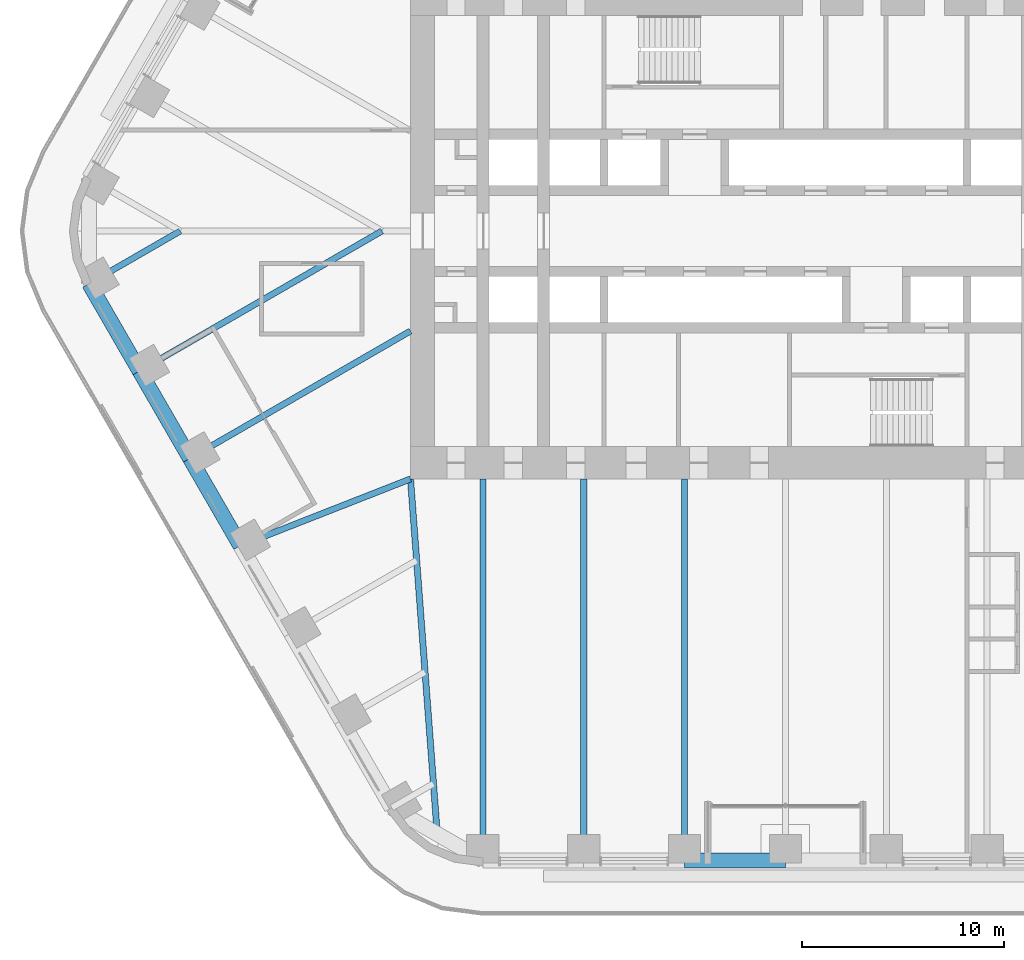
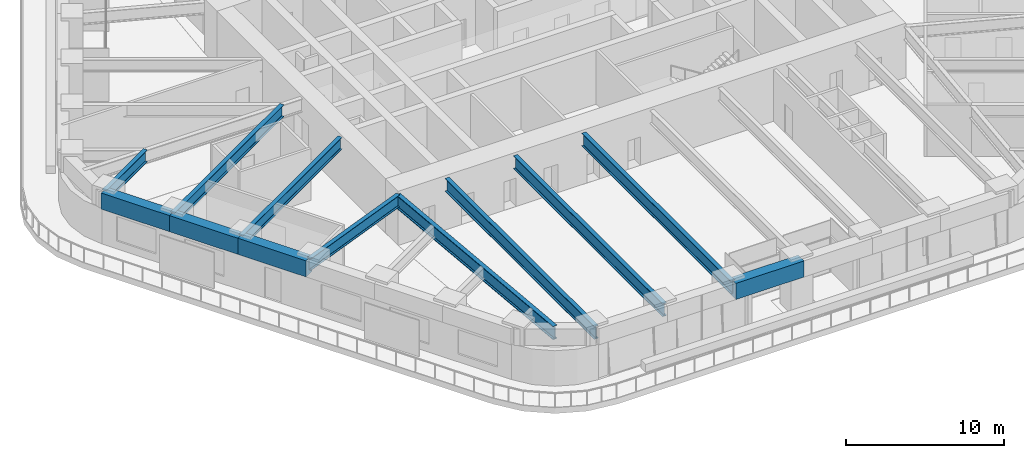
# One storey, part 3 of 24: 12 beams.
"""IFC4 building model written with IfcOpenShell, lengths in metres."""

from ifc_helpers import new_model, si_unit, direction, frame, origin, origin_2d, place, context, subcontext, project, spatial, rectangle, i_section, extrude, material, material_profile, profile_set, type_object, element, save


model = new_model("IFC4")

# Units and contexts
model_context = context("Model", 3, precision=1e-05, world=origin(), true_north=direction((0.0, 1.0)))
body_context = subcontext(model_context, "Body", "Model", "MODEL_VIEW")
ifc_project = project(units=[si_unit("LENGTHUNIT", "METRE"), si_unit("AREAUNIT", "SQUARE_METRE"), si_unit("VOLUMEUNIT", "CUBIC_METRE"), si_unit("PLANEANGLEUNIT", "RADIAN"), si_unit("MASSUNIT", "GRAM", prefix="KILO")], contexts=[model_context])

# Site, building, storey
site_placement = place(None, origin())
site = spatial("IfcSite", under=ifc_project, at=site_placement, CompositionType="ELEMENT")
building_placement = place(site_placement, origin())
building = spatial("IfcBuilding", under=site, at=building_placement, Name="Tarfa Lantern Tower", CompositionType="ELEMENT")
storey_placement = place(building_placement, frame((0.0, 0.0, 169.89990234375)))
storey = spatial("IfcBuildingStorey", under=building, at=storey_placement, Name="L38", CompositionType="ELEMENT", Elevation=169.89990234375)

# Beams
ifc_material_1 = material(Name="Concrete C80/95", Category="concrete")
ifc_material_profile_1 = material_profile(ifc_material_1, rectangle(XDim=0.75, YDim=1.25, at=origin_2d()), Name="RC 750x1250")
ifc_profile_set_1 = profile_set([ifc_material_profile_1], Name="Concrete C80/95")
beam_type_1 = type_object("IfcBeamType", Name="EB2 RC 750x1250", PredefinedType="SPANDREL", material=ifc_profile_set_1)
for number, where, z_axis, x_axis, name in (
    (1, (-34.54296875, -2.610107421875, 3.375), (0.500022324899, -0.866012514114, 0.0), (0.866012514114, 0.500022324899, 0.0), "Edge beam SW0"),
    (2, (-32.041015625, -6.943359375, 3.375), (0.500022324899, -0.866012514114, 0.0), (0.866012514114, 0.500022324899, 0.0), "Edge beam SW1"),
    (3, (-29.5390625, -11.276611328125, 3.375), (0.499964603504, -0.866045838996, 0.0), (0.866045838996, 0.499964603504, 0.0), "Edge beam SW2"),
    (4, (-5.003662109375, -31.219970703125, 3.375), (1.0, 0.0, 0.0), (0.0, 1.0, 0.0), "Edge beam S2"),
):
    element("IfcBeam", number, at=place(storey_placement, frame(where, z_axis=z_axis, x_axis=x_axis)), inside=storey, type_object=beam_type_1, Name=name, PredefinedType="SPANDREL", context=body_context, shape_type="SweptSolid", body=[
        extrude(rectangle(XDim=0.75, YDim=1.25, at=origin_2d()), origin(), (0.0, 0.0, 1.0), 5.003662109375),
    ])
ifc_material_2 = material(Name="Steel S460M", Category="steel")
ifc_material_profile_2 = material_profile(ifc_material_2, i_section(OverallWidth=0.302001953125, OverallDepth=1.008056640625, WebThickness=0.02099609375, FlangeThickness=0.0400390625, FilletRadius=0.030029296875, at=origin_2d()), Name="UB1016x305x349")
ifc_profile_set_2 = profile_set([ifc_material_profile_2], Name="Steel S460M")
beam_type_2 = type_object("IfcBeamType", Name="UB1016x305x349", PredefinedType="BEAM", material=ifc_profile_set_2)
for number, where, z_axis, x_axis, name in (
    (5, (-15.010986328125, -31.219970703125, 3.49609375), (0.0, 1.0, 0.0), (-1.0, 0.0, 0.0), "Floor beam S0"),
    (6, (-10.00732421875, -31.219970703125, 3.49609375), (0.0, 1.0, 0.0), (-1.0, 0.0, 0.0), "Floor beam S1"),
    (7, (-5.003662109375, -31.219970703125, 3.49609375), (0.0, 1.0, 0.0), (-1.0, 0.0, 0.0), "Floor beam S2"),
):
    element("IfcBeam", number, at=place(storey_placement, frame(where, z_axis=z_axis, x_axis=x_axis)), inside=storey, type_object=beam_type_2, Name=name, PredefinedType="BEAM", context=body_context, shape_type="SweptSolid", body=[
        extrude(i_section(OverallWidth=0.302001953125, OverallDepth=1.008056640625, WebThickness=0.02099609375, FlangeThickness=0.0400390625, FilletRadius=0.030029296875, at=origin_2d()), origin(), (0.0, 0.0, 1.0), 18.919921875),
    ])
ifc_material_profile_3 = material_profile(ifc_material_2, i_section(OverallWidth=0.30859375, OverallDepth=1.036376953125, WebThickness=0.030029296875, FlangeThickness=0.05419921875, FilletRadius=0.030029296875, at=origin_2d()), Name="UB1016x305x487")
ifc_profile_set_3 = profile_set([ifc_material_profile_3], Name="Steel S460M")
beam_type_3 = type_object("IfcBeamType", Name="UB1016x305x487", PredefinedType="BEAM", material=ifc_profile_set_3)
beam_1_placement = place(storey_placement, frame((-18.60009765625, -12.300048828125, 3.48193359375), z_axis=(0.075211516041, -0.99716760269, 0.0), x_axis=(0.99716760269, 0.075211516041, 0.0)))
element("IfcBeam", 8, at=beam_1_placement, inside=storey, type_object=beam_type_3, Name="Hip girder SW", PredefinedType="BEAM", context=body_context, shape_type="SweptSolid", body=[
    extrude(i_section(OverallWidth=0.30859375, OverallDepth=1.036376953125, WebThickness=0.030029296875, FlangeThickness=0.05419921875, FilletRadius=0.030029296875, at=origin_2d()), origin(), (0.0, 0.0, 1.0), 17.6650390625),
])
ifc_material_profile_4 = material_profile(ifc_material_2, i_section(OverallWidth=0.305419921875, OverallDepth=0.91845703125, WebThickness=0.017333984375, FlangeThickness=0.02783203125, FilletRadius=0.01904296875, at=origin_2d()), Name="UB914x305x253")
ifc_profile_set_4 = profile_set([ifc_material_profile_4], Name="Steel S460M")
beam_type_4 = type_object("IfcBeamType", Name="UB914x305x253", PredefinedType="BEAM", material=ifc_profile_set_4)
beam_2_placement = place(storey_placement, frame((-34.54296875, -2.610107421875, 3.541015625), z_axis=(0.866021250859, 0.500007193008, 0.0), x_axis=(-0.500007193008, 0.866021250859, 0.0)))
element("IfcBeam", 9, at=beam_2_placement, inside=storey, type_object=beam_type_4, Name="Floor beam SW0", PredefinedType="BEAM", context=body_context, shape_type="SweptSolid", body=[
    extrude(i_section(OverallWidth=0.305419921875, OverallDepth=0.91845703125, WebThickness=0.017333984375, FlangeThickness=0.02783203125, FilletRadius=0.01904296875, at=origin_2d()), origin(), (0.0, 0.0, 1.0), 5.22021484375),
])
beam_3_placement = place(storey_placement, frame((-32.041015625, -6.943359375, 3.541015625), z_axis=(0.866023096411, 0.500003996466, 0.0), x_axis=(-0.500003996466, 0.866023096411, 0.0)))
element("IfcBeam", 10, at=beam_3_placement, inside=storey, type_object=beam_type_4, Name="Floor beam SW1", PredefinedType="BEAM", context=body_context, shape_type="SweptSolid", body=[
    extrude(i_section(OverallWidth=0.305419921875, OverallDepth=0.91845703125, WebThickness=0.017333984375, FlangeThickness=0.02783203125, FilletRadius=0.01904296875, at=origin_2d()), origin(), (0.0, 0.0, 1.0), 13.88671875),
])
beam_4_placement = place(storey_placement, frame((-29.5390625, -11.276611328125, 3.541015625), z_axis=(0.866023362995, 0.500003534735, 0.0), x_axis=(-0.500003534735, 0.866023362995, 0.0)))
element("IfcBeam", 11, at=beam_4_placement, inside=storey, type_object=beam_type_4, Name="Floor beam SW2", PredefinedType="BEAM", context=body_context, shape_type="SweptSolid", body=[
    extrude(i_section(OverallWidth=0.305419921875, OverallDepth=0.91845703125, WebThickness=0.017333984375, FlangeThickness=0.02783203125, FilletRadius=0.01904296875, at=origin_2d()), origin(), (0.0, 0.0, 1.0), 12.63134765625),
])
beam_5_placement = place(storey_placement, frame((-27.037353515625, -15.610107421875, 3.541015625), z_axis=(0.930923282782, 0.365214788274, 0.0), x_axis=(-0.365214788274, 0.930923282782, 0.0)))
element("IfcBeam", 12, at=beam_5_placement, inside=storey, type_object=beam_type_4, Name="Floor beam SW3", PredefinedType="BEAM", context=body_context, shape_type="SweptSolid", body=[
    extrude(i_section(OverallWidth=0.305419921875, OverallDepth=0.91845703125, WebThickness=0.017333984375, FlangeThickness=0.02783203125, FilletRadius=0.01904296875, at=origin_2d()), origin(), (0.0, 0.0, 1.0), 9.063232421875),
])

save(model, "model.ifc")
